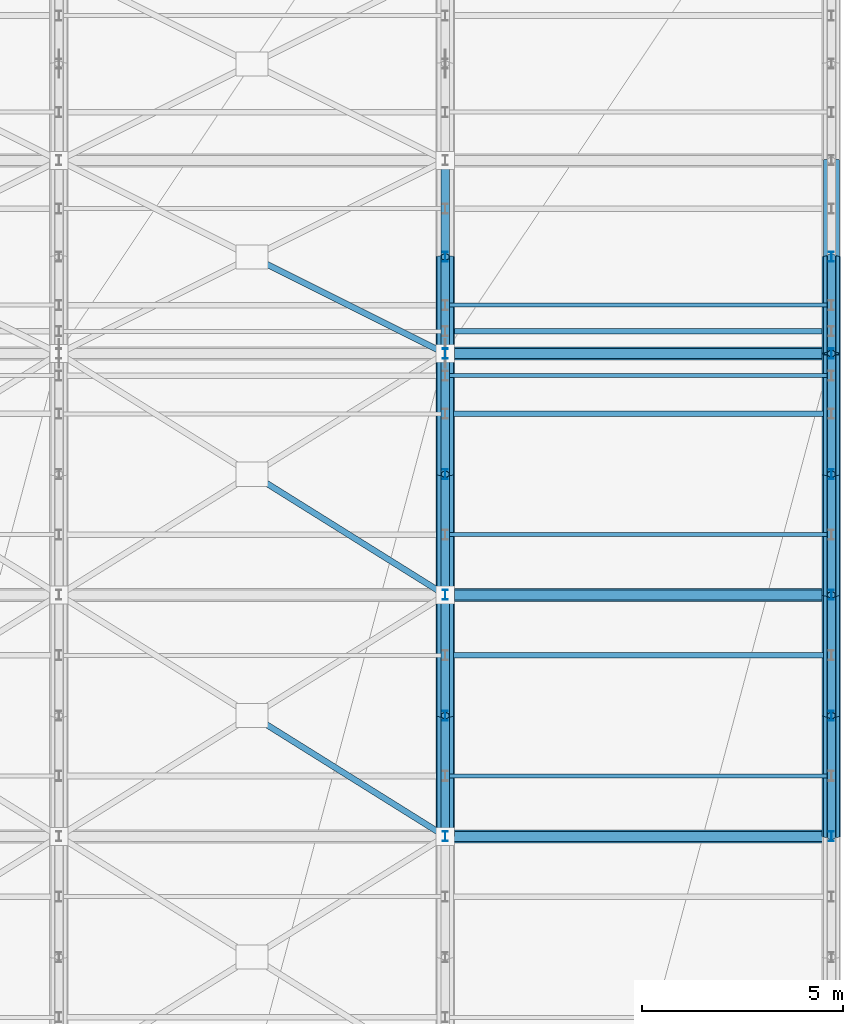
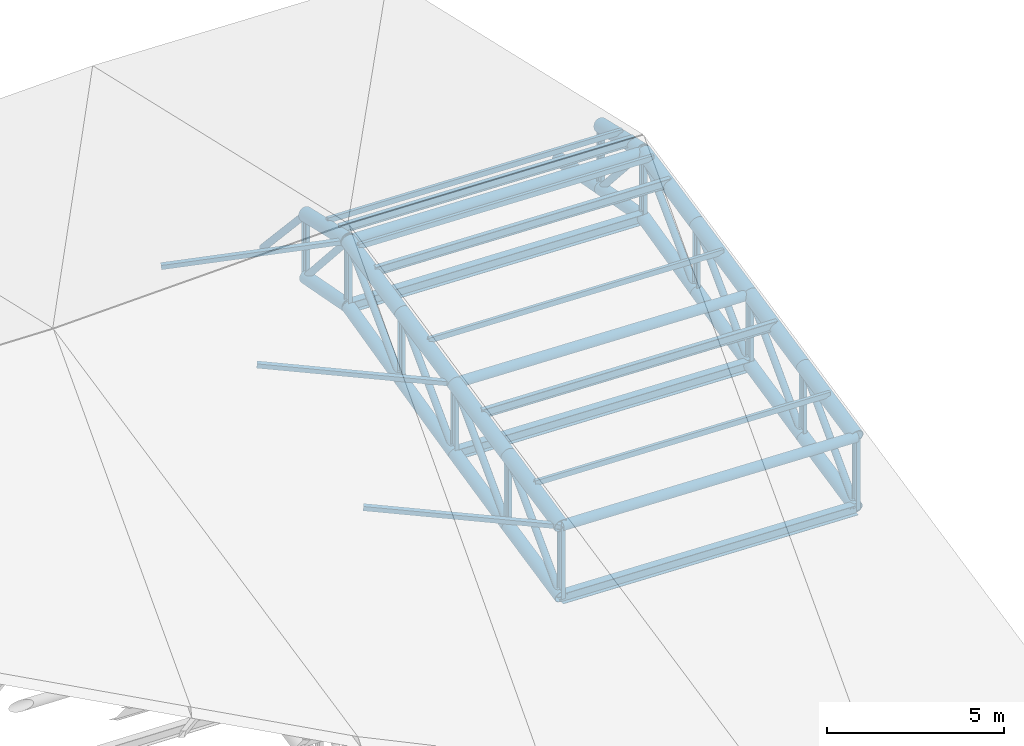
# One storey, part 48 of 109: 39 members, 21 beams.
"""IFC4 building model written with IfcOpenShell, lengths in metres."""

from ifc_helpers import new_model, si_unit, direction, frame, origin, origin_2d, place, context, subcontext, project, spatial, hollow_rectangle, hollow_circle, i_section, extrude, material, material_profile, profile_set, type_object, element, save


model = new_model("IFC4")

# Units and contexts
model_context = context("Model", 3, precision=1e-05, world=origin(), true_north=direction((0.0, 1.0)))
body_context = subcontext(model_context, "Body", "Model", "MODEL_VIEW")
ifc_project = project(units=[si_unit("LENGTHUNIT", "METRE"), si_unit("AREAUNIT", "SQUARE_METRE"), si_unit("VOLUMEUNIT", "CUBIC_METRE"), si_unit("PLANEANGLEUNIT", "RADIAN"), si_unit("MASSUNIT", "GRAM", prefix="KILO")], contexts=[model_context])

# Site, building, storey
site_placement = place(None, origin())
site = spatial("IfcSite", under=ifc_project, at=site_placement, CompositionType="ELEMENT")
building_placement = place(site_placement, origin())
building = spatial("IfcBuilding", under=site, at=building_placement, Name="Suirenkawa Promenade Aquatics Centre", CompositionType="ELEMENT")
storey_placement = place(building_placement, frame((0.0, 0.0, 22.800048828125)))
storey = spatial("IfcBuildingStorey", under=building, at=storey_placement, Name="ROOF", CompositionType="ELEMENT", Elevation=22.800048828125)

# Beams
ifc_material = material(Name="Steel IS 2062 E350 (Grade 350)", Category="steel")
ifc_material_profile_1 = material_profile(ifc_material, hollow_circle(Radius=0.202880859375, WallThickness=0.01806640625, at=origin_2d()), Name="CHS 406x18", Category="steel")
ifc_profile_set_1 = profile_set([ifc_material_profile_1], Name="Steel IS 2062 E350 (Grade 350)")
beam_type_1 = type_object("IfcBeamType", Name="BT-BC-CHS406", PredefinedType="BEAM", material=ifc_profile_set_1)
beam_1_placement = place(storey_placement, frame((184.800048828125, 74.39990234375, -6.16015625), z_axis=(0.0, 0.978259092623, 0.207386469424), x_axis=(-1.0, 0.0, 0.0)))
element("IfcBeam", 1, at=beam_1_placement, inside=storey, type_object=beam_type_1, Name="ROOF TRUSS V2 bottom chord BC-01 BM-2520", PredefinedType="BEAM", context=body_context, shape_type="SweptSolid", body=[
    extrude(hollow_circle(Radius=0.202880859375, WallThickness=0.01806640625, at=origin_2d()), origin(), (0.0, 0.0, 1.0), 3.066650390625),
])
beam_2_placement = place(storey_placement, frame((184.800048828125, 77.39990234375, -5.524169921875), z_axis=(0.0, 0.976147791937, 0.217107089466), x_axis=(-1.0, 0.0, 0.0)))
element("IfcBeam", 2, at=beam_2_placement, inside=storey, type_object=beam_type_1, Name="ROOF TRUSS V2 bottom chord BC-01 BM-2522", PredefinedType="BEAM", context=body_context, shape_type="SweptSolid", body=[
    extrude(hollow_circle(Radius=0.202880859375, WallThickness=0.01806640625, at=origin_2d()), origin(), (0.0, 0.0, 1.0), 3.0732421875),
])
beam_3_placement = place(storey_placement, frame((184.800048828125, 80.39990234375, -4.85693359375), z_axis=(0.0, 0.97398484084, 0.226613172197), x_axis=(-1.0, 0.0, 0.0)))
element("IfcBeam", 3, at=beam_3_placement, inside=storey, type_object=beam_type_1, Name="ROOF TRUSS V2 bottom chord BC-01 BM-2524", PredefinedType="BEAM", context=body_context, shape_type="SweptSolid", body=[
    extrude(hollow_circle(Radius=0.202880859375, WallThickness=0.01806640625, at=origin_2d()), origin(), (0.0, 0.0, 1.0), 3.080078125),
])
beam_4_placement = place(storey_placement, frame((184.800048828125, 83.39990234375, -4.158935546875), z_axis=(0.0, 0.972029299784, 0.234859618413), x_axis=(-1.0, 0.0, 0.0)))
element("IfcBeam", 4, at=beam_4_placement, inside=storey, type_object=beam_type_1, Name="ROOF TRUSS V2 bottom chord BC-01 BM-2526", PredefinedType="BEAM", context=body_context, shape_type="SweptSolid", body=[
    extrude(hollow_circle(Radius=0.202880859375, WallThickness=0.01806640625, at=origin_2d()), origin(), (0.0, 0.0, 1.0), 3.08642578125),
])
beam_5_placement = place(storey_placement, frame((184.800048828125, 86.39990234375, -3.43408203125), z_axis=(0.0, 0.982275543956, -0.187442673224), x_axis=(-1.0, 0.0, 0.0)))
element("IfcBeam", 5, at=beam_5_placement, inside=storey, type_object=beam_type_1, Name="ROOF TRUSS V2 bottom chord BC-01 BM-2528", PredefinedType="BEAM", context=body_context, shape_type="SweptSolid", body=[
    extrude(hollow_circle(Radius=0.202880859375, WallThickness=0.01806640625, at=origin_2d()), origin(), (0.0, 0.0, 1.0), 2.443359375),
])
beam_6_placement = place(storey_placement, frame((194.39990234375, 74.39990234375, -6.4599609375), z_axis=(0.0, 0.978259092623, 0.207386469424), x_axis=(-1.0, 0.0, 0.0)))
element("IfcBeam", 6, at=beam_6_placement, inside=storey, type_object=beam_type_1, Name="ROOF TRUSS V2 bottom chord BC-01 BM-2556", PredefinedType="BEAM", context=body_context, shape_type="SweptSolid", body=[
    extrude(hollow_circle(Radius=0.202880859375, WallThickness=0.01806640625, at=origin_2d()), origin(), (0.0, 0.0, 1.0), 3.066650390625),
])
beam_7_placement = place(storey_placement, frame((194.39990234375, 77.39990234375, -5.823974609375), z_axis=(0.0, 0.976164624712, 0.217031392799), x_axis=(-1.0, 0.0, 0.0)))
element("IfcBeam", 7, at=beam_7_placement, inside=storey, type_object=beam_type_1, Name="ROOF TRUSS V2 bottom chord BC-01 BM-2558", PredefinedType="BEAM", context=body_context, shape_type="SweptSolid", body=[
    extrude(hollow_circle(Radius=0.202880859375, WallThickness=0.01806640625, at=origin_2d()), origin(), (0.0, 0.0, 1.0), 3.0732421875),
])
beam_8_placement = place(storey_placement, frame((194.39990234375, 80.39990234375, -5.156982421875), z_axis=(0.0, 0.97398484084, 0.226613172197), x_axis=(-1.0, 0.0, 0.0)))
element("IfcBeam", 8, at=beam_8_placement, inside=storey, type_object=beam_type_1, Name="ROOF TRUSS V2 bottom chord BC-01 BM-2560", PredefinedType="BEAM", context=body_context, shape_type="SweptSolid", body=[
    extrude(hollow_circle(Radius=0.202880859375, WallThickness=0.01806640625, at=origin_2d()), origin(), (0.0, 0.0, 1.0), 3.080078125),
])
beam_9_placement = place(storey_placement, frame((194.39990234375, 83.39990234375, -4.458984375), z_axis=(0.0, 0.972029299784, 0.234859618413), x_axis=(-1.0, 0.0, 0.0)))
element("IfcBeam", 9, at=beam_9_placement, inside=storey, type_object=beam_type_1, Name="ROOF TRUSS V2 bottom chord BC-01 BM-2562", PredefinedType="BEAM", context=body_context, shape_type="SweptSolid", body=[
    extrude(hollow_circle(Radius=0.202880859375, WallThickness=0.01806640625, at=origin_2d()), origin(), (0.0, 0.0, 1.0), 3.08642578125),
])
beam_10_placement = place(storey_placement, frame((194.39990234375, 86.39990234375, -3.734130859375), z_axis=(0.0, 0.982275543956, -0.187442673224), x_axis=(-1.0, 0.0, 0.0)))
element("IfcBeam", 10, at=beam_10_placement, inside=storey, type_object=beam_type_1, Name="ROOF TRUSS V2 bottom chord BC-01 BM-2564", PredefinedType="BEAM", context=body_context, shape_type="SweptSolid", body=[
    extrude(hollow_circle(Radius=0.202880859375, WallThickness=0.01806640625, at=origin_2d()), origin(), (0.0, 0.0, 1.0), 2.443359375),
])
beam_11_placement = place(storey_placement, frame((194.39990234375, 88.800048828125, -4.192138671875), z_axis=(0.0, 0.983252807132, -0.182246858046), x_axis=(-1.0, 0.0, 0.0)))
element("IfcBeam", 11, at=beam_11_placement, inside=storey, type_object=beam_type_1, Name="ROOF TRUSS V2 bottom chord BC-01 BM-2566", PredefinedType="BEAM", context=body_context, shape_type="SweptSolid", body=[
    extrude(hollow_circle(Radius=0.202880859375, WallThickness=0.01806640625, at=origin_2d()), origin(), (0.0, 0.0, 1.0), 2.440673828125),
])
ifc_material_profile_2 = material_profile(ifc_material, hollow_circle(Radius=0.22900390625, WallThickness=0.02001953125, at=origin_2d()), Name="CHS 458x20", Category="steel")
ifc_profile_set_2 = profile_set([ifc_material_profile_2], Name="Steel IS 2062 E350 (Grade 350)")
beam_type_2 = type_object("IfcBeamType", Name="BT-TC-CHS458", PredefinedType="BEAM", material=ifc_profile_set_2)
for number, where, z_axis, x_axis, name in (
    (12, (184.800048828125, 74.39990234375, -3.713134765625), (0.0, 0.978452518953, 0.206471954886), (-1.0, 0.0, 0.0), "ROOF TRUSS V2 top chord TC-01 BM-2519"),
    (13, (184.800048828125, 77.39990234375, -3.080078125), (0.0, 0.978452518953, 0.206471954886), (-1.0, 0.0, 0.0), "ROOF TRUSS V2 top chord TC-01 BM-2521"),
    (14, (184.800048828125, 80.39990234375, -2.447021484375), (0.0, 0.978388130003, 0.206776853322), (-1.0, 0.0, 0.0), "ROOF TRUSS V2 top chord TC-01 BM-2523"),
    (15, (184.800048828125, 83.39990234375, -1.81298828125), (0.0, 0.978452518953, 0.206471954886), (-1.0, 0.0, 0.0), "ROOF TRUSS V2 top chord TC-01 BM-2525"),
):
    element("IfcBeam", number, at=place(storey_placement, frame(where, z_axis=z_axis, x_axis=x_axis)), inside=storey, type_object=beam_type_2, Name=name, PredefinedType="BEAM", context=body_context, shape_type="SweptSolid", body=[
        extrude(hollow_circle(Radius=0.22900390625, WallThickness=0.02001953125, at=origin_2d()), origin(), (0.0, 0.0, 1.0), 3.066162109375),
    ])
beam_12_placement = place(storey_placement, frame((184.800048828125, 86.39990234375, -1.179931640625), z_axis=(0.0, 0.97473096927, -0.223382043919), x_axis=(-1.0, 0.0, 0.0)))
element("IfcBeam", 16, at=beam_12_placement, inside=storey, type_object=beam_type_2, Name="ROOF TRUSS V2 top chord TC-01 BM-2527", PredefinedType="BEAM", context=body_context, shape_type="SweptSolid", body=[
    extrude(hollow_circle(Radius=0.22900390625, WallThickness=0.02001953125, at=origin_2d()), origin(), (0.0, 0.0, 1.0), 2.46240234375),
])
beam_13_placement = place(storey_placement, frame((194.39990234375, 74.39990234375, -4.012939453125), z_axis=(0.0, 0.978468602667, 0.206395720875), x_axis=(-1.0, 0.0, 0.0)))
element("IfcBeam", 17, at=beam_13_placement, inside=storey, type_object=beam_type_2, Name="ROOF TRUSS V2 top chord TC-01 BM-2555", PredefinedType="BEAM", context=body_context, shape_type="SweptSolid", body=[
    extrude(hollow_circle(Radius=0.22900390625, WallThickness=0.02001953125, at=origin_2d()), origin(), (0.0, 0.0, 1.0), 3.06591796875),
])
for number, where, z_axis, x_axis, name in (
    (18, (194.39990234375, 77.39990234375, -3.380126953125), (0.0, 0.978452518953, 0.206471954886), (-1.0, 0.0, 0.0), "ROOF TRUSS V2 top chord TC-01 BM-2557"),
    (19, (194.39990234375, 80.39990234375, -2.7470703125), (0.0, 0.978388130003, 0.206776853322), (-1.0, 0.0, 0.0), "ROOF TRUSS V2 top chord TC-01 BM-2559"),
    (20, (194.39990234375, 83.39990234375, -2.113037109375), (0.0, 0.978452518953, 0.206471954886), (-1.0, 0.0, 0.0), "ROOF TRUSS V2 top chord TC-01 BM-2561"),
):
    element("IfcBeam", number, at=place(storey_placement, frame(where, z_axis=z_axis, x_axis=x_axis)), inside=storey, type_object=beam_type_2, Name=name, PredefinedType="BEAM", context=body_context, shape_type="SweptSolid", body=[
        extrude(hollow_circle(Radius=0.22900390625, WallThickness=0.02001953125, at=origin_2d()), origin(), (0.0, 0.0, 1.0), 3.066162109375),
    ])
beam_14_placement = place(storey_placement, frame((194.39990234375, 86.39990234375, -1.47998046875), z_axis=(0.0, 0.97473096927, -0.223382043919), x_axis=(-1.0, 0.0, 0.0)))
element("IfcBeam", 21, at=beam_14_placement, inside=storey, type_object=beam_type_2, Name="ROOF TRUSS V2 top chord TC-01 BM-2563", PredefinedType="BEAM", context=body_context, shape_type="SweptSolid", body=[
    extrude(hollow_circle(Radius=0.22900390625, WallThickness=0.02001953125, at=origin_2d()), origin(), (0.0, 0.0, 1.0), 2.46240234375),
])

# Members
ifc_material_profile_3 = material_profile(ifc_material, hollow_rectangle(XDim=0.14990234375, YDim=0.14990234375, WallThickness=0.008056640625, at=origin_2d()), Name="SHS 150x150x8", Category="steel")
ifc_profile_set_3 = profile_set([ifc_material_profile_3], Name="Steel IS 2062 E350 (Grade 350)")
member_type_1 = type_object("IfcMemberType", Name="MT-BRACE-SHS150", PredefinedType="BRACE", material=ifc_profile_set_3)
for number, where, z_axis, x_axis, name in (
    (22, (184.800048828125, 74.39990234375, -3.713134765625), (-0.844604024784, 0.527888418671, 0.08931886), (-0.530006811934, -0.847993383998, 0.0), "ROOF TRUSS V2 split plan brace A BF-02 MB-1265"),
    (23, (184.800048828125, 80.39990234375, -2.447021484375), (-0.844590851827, 0.527880185403, 0.089491915106), (-0.530006811934, -0.847993383998, 0.0), "ROOF TRUSS V2 split plan brace A BF-02 MB-1268"),
):
    element("IfcMember", number, at=place(storey_placement, frame(where, z_axis=z_axis, x_axis=x_axis)), inside=storey, type_object=member_type_1, Name=name, PredefinedType="BRACE", context=body_context, shape_type="SweptSolid", body=[
        extrude(hollow_rectangle(XDim=0.14990234375, YDim=0.14990234375, WallThickness=0.008056640625, at=origin_2d()), origin(), (0.0, 0.0, 1.0), 5.597900390625),
    ])
member_1_placement = place(storey_placement, frame((184.800048828125, 86.39990234375, -1.179931640625), z_axis=(-0.88747950639, 0.443648043005, -0.124725858085), x_axis=(-0.447139648397, -0.894464160731, 0.0)))
element("IfcMember", 24, at=member_1_placement, inside=storey, type_object=member_type_1, Name="ROOF TRUSS V2 split plan brace A BF-02 MB-1271", PredefinedType="BRACE", context=body_context, shape_type="SweptSolid", body=[
    extrude(hollow_rectangle(XDim=0.14990234375, YDim=0.14990234375, WallThickness=0.008056640625, at=origin_2d()), origin(), (0.0, 0.0, 1.0), 5.32421875),
])
ifc_material_profile_4 = material_profile(ifc_material, hollow_circle(Radius=0.162109375, WallThickness=0.013916015625, at=origin_2d()), Name="CHS 324x14", Category="steel")
ifc_profile_set_4 = profile_set([ifc_material_profile_4], Name="Steel IS 2062 E350 (Grade 350)")
member_type_2 = type_object("IfcMemberType", Name="MT-CHORD-CHS324", PredefinedType="CHORD", material=ifc_profile_set_4)
for number, where, z_axis, x_axis, name in (
    (25, (184.800048828125, 74.39990234375, -3.713134765625), (0.999512695873, 0.0, -0.03121491291), (0.0, 1.0, 0.0), "ROOF TRUSS V2 tie chord CH-01 MB-1200"),
    (26, (184.800048828125, 80.39990234375, -2.447021484375), (0.999511902476, 0.0, -0.031240307422), (0.0, 1.0, 0.0), "ROOF TRUSS V2 tie chord CH-01 MB-1208"),
    (27, (184.800048828125, 86.39990234375, -1.179931640625), (0.999511902476, 0.0, -0.031240307422), (0.0, 1.0, 0.0), "ROOF TRUSS V2 tie chord CH-01 MB-1216"),
):
    element("IfcMember", number, at=place(storey_placement, frame(where, z_axis=z_axis, x_axis=x_axis)), inside=storey, type_object=member_type_2, Name=name, PredefinedType="CHORD", context=body_context, shape_type="SweptSolid", body=[
        extrude(hollow_circle(Radius=0.162109375, WallThickness=0.013916015625, at=origin_2d()), origin(), (0.0, 0.0, 1.0), 9.6044921875),
    ])
ifc_material_profile_5 = material_profile(ifc_material, i_section(OverallWidth=0.25, OverallDepth=0.35009765625, WebThickness=0.010009765625, FlangeThickness=0.011962890625, at=origin_2d()), Name="ISHB 350", Category="steel")
ifc_profile_set_5 = profile_set([ifc_material_profile_5], Name="Steel IS 2062 E350 (Grade 350)")
member_type_3 = type_object("IfcMemberType", Name="MT-CHORD-ISHB350", PredefinedType="CHORD", material=ifc_profile_set_5)
for number, where, z_axis, x_axis, name in (
    (28, (184.800048828125, 74.39990234375, -6.16015625), (0.999512695873, 0.0, -0.03121491291), (0.0, 1.0, 0.0), "ROOF TRUSS V2 bottom tie CH-04 MB-1201"),
    (29, (184.800048828125, 80.39990234375, -4.85693359375), (0.999511902476, 0.0, -0.031240307422), (0.0, 1.0, 0.0), "ROOF TRUSS V2 bottom tie CH-04 MB-1209"),
    (30, (184.800048828125, 86.39990234375, -3.43408203125), (0.999511902476, 0.0, -0.031240307422), (0.0, 1.0, 0.0), "ROOF TRUSS V2 bottom tie CH-04 MB-1217"),
):
    element("IfcMember", number, at=place(storey_placement, frame(where, z_axis=z_axis, x_axis=x_axis)), inside=storey, type_object=member_type_3, Name=name, PredefinedType="CHORD", context=body_context, shape_type="SweptSolid", body=[
        extrude(i_section(OverallWidth=0.25, OverallDepth=0.35009765625, WebThickness=0.010009765625, FlangeThickness=0.011962890625, at=origin_2d()), origin(), (0.0, 0.0, 1.0), 9.6044921875),
    ])
ifc_material_profile_6 = material_profile(ifc_material, i_section(OverallWidth=0.139892578125, OverallDepth=0.300048828125, WebThickness=0.008056640625, FlangeThickness=0.012939453125, at=origin_2d()), Name="ISMB 300", Category="steel")
ifc_profile_set_6 = profile_set([ifc_material_profile_6], Name="Steel IS 2062 E350 (Grade 350)")
member_type_4 = type_object("IfcMemberType", Name="MT-PURLIN-ISMB300", PredefinedType="PURLIN", material=ifc_profile_set_6)
for number, where, z_axis, x_axis, name in (
    (31, (184.800048828125, 78.89990234375, -2.5771484375), (0.999512695873, 0.0, -0.03121491291), (0.0, 1.0, 0.0), "ROOF TRUSS Roof purlin PU-05 MB-2581"),
    (32, (184.800048828125, 84.89990234375, -1.31005859375), (0.999511902476, 0.0, -0.031240307422), (0.0, 1.0, 0.0), "ROOF TRUSS Roof purlin PU-05 MB-2585"),
    (33, (184.800048828125, 86.949951171875, -1.1220703125), (0.999511902476, 0.0, -0.031240307422), (0.0, 1.0, 0.0), "ROOF TRUSS Roof purlin PU-05 MB-2589"),
):
    element("IfcMember", number, at=place(storey_placement, frame(where, z_axis=z_axis, x_axis=x_axis)), inside=storey, type_object=member_type_4, Name=name, PredefinedType="PURLIN", context=body_context, shape_type="SweptSolid", body=[
        extrude(i_section(OverallWidth=0.139892578125, OverallDepth=0.300048828125, WebThickness=0.008056640625, FlangeThickness=0.012939453125, at=origin_2d()), origin(), (0.0, 0.0, 1.0), 9.6044921875),
    ])
ifc_material_profile_7 = material_profile(ifc_material, hollow_rectangle(XDim=0.10009765625, YDim=0.179931640625, WallThickness=0.008056640625, at=origin_2d()), Name="RHS 180x100x8", Category="steel")
ifc_profile_set_7 = profile_set([ifc_material_profile_7], Name="Steel IS 2062 E350 (Grade 350)")
member_type_5 = type_object("IfcMemberType", Name="MT-PURLIN-RHS180", PredefinedType="PURLIN", material=ifc_profile_set_7)
for number, where, z_axis, x_axis, name in (
    (34, (184.800048828125, 75.89990234375, -3.14599609375), (0.999511902476, 0.0, -0.031240307422), (0.0, 1.0, 0.0), "ROOF TRUSS Roof purlin PU-01 MB-2579"),
    (35, (184.800048828125, 81.89990234375, -1.879150390625), (0.999512695873, 0.0, -0.03121491291), (0.0, 1.0, 0.0), "ROOF TRUSS Roof purlin PU-01 MB-2583"),
    (36, (184.800048828125, 85.85009765625, -1.045166015625), (0.999509518422, 0.0, -0.031316490595), (0.0, 1.0, 0.0), "ROOF TRUSS Roof purlin PU-01 MB-2587"),
    (37, (184.800048828125, 87.60009765625, -1.2060546875), (0.999511902476, 0.0, -0.031240307422), (0.0, 1.0, 0.0), "ROOF TRUSS Roof purlin PU-01 MB-2591"),
):
    element("IfcMember", number, at=place(storey_placement, frame(where, z_axis=z_axis, x_axis=x_axis)), inside=storey, type_object=member_type_5, Name=name, PredefinedType="PURLIN", context=body_context, shape_type="SweptSolid", body=[
        extrude(hollow_rectangle(XDim=0.10009765625, YDim=0.179931640625, WallThickness=0.008056640625, at=origin_2d()), origin(), (0.0, 0.0, 1.0), 9.6044921875),
    ])
ifc_material_profile_8 = material_profile(ifc_material, i_section(OverallWidth=0.125, OverallDepth=0.25, WebThickness=0.007080078125, FlangeThickness=0.012939453125, at=origin_2d()), Name="ISMB 250", Category="steel")
ifc_profile_set_8 = profile_set([ifc_material_profile_8], Name="Steel IS 2062 E350 (Grade 350)")
member_type_6 = type_object("IfcMemberType", Name="MT-WEB-CHS168", PredefinedType="BRACE", material=ifc_profile_set_8)
member_2_placement = place(storey_placement, frame((184.800048828125, 74.39990234375, -6.16015625), z_axis=(0.0, 0.0, 1.0), x_axis=(1.0, 0.0, 0.0)))
element("IfcMember", 38, at=member_2_placement, inside=storey, type_object=member_type_6, Name="ROOF TRUSS V2 web post TD-03 MB-1101", PredefinedType="BRACE", context=body_context, shape_type="SweptSolid", body=[
    extrude(i_section(OverallWidth=0.125, OverallDepth=0.25, WebThickness=0.007080078125, FlangeThickness=0.012939453125, at=origin_2d()), origin(), (0.0, 0.0, 1.0), 2.447021484375),
])
member_3_placement = place(storey_placement, frame((184.800048828125, 77.39990234375, -5.524169921875), z_axis=(0.0, 0.0, 1.0), x_axis=(1.0, 0.0, 0.0)))
element("IfcMember", 39, at=member_3_placement, inside=storey, type_object=member_type_6, Name="ROOF TRUSS V2 web post TD-03 MB-1102", PredefinedType="BRACE", context=body_context, shape_type="SweptSolid", body=[
    extrude(i_section(OverallWidth=0.125, OverallDepth=0.25, WebThickness=0.007080078125, FlangeThickness=0.012939453125, at=origin_2d()), origin(), (0.0, 0.0, 1.0), 2.444091796875),
])
member_4_placement = place(storey_placement, frame((184.800048828125, 80.39990234375, -4.85693359375), z_axis=(0.0, 0.0, 1.0), x_axis=(1.0, 0.0, 0.0)))
element("IfcMember", 40, at=member_4_placement, inside=storey, type_object=member_type_6, Name="ROOF TRUSS V2 web post TD-03 MB-1103", PredefinedType="BRACE", context=body_context, shape_type="SweptSolid", body=[
    extrude(i_section(OverallWidth=0.125, OverallDepth=0.25, WebThickness=0.007080078125, FlangeThickness=0.012939453125, at=origin_2d()), origin(), (0.0, 0.0, 1.0), 2.409912109375),
])
member_5_placement = place(storey_placement, frame((184.800048828125, 83.39990234375, -4.158935546875), z_axis=(0.0, 0.0, 1.0), x_axis=(1.0, 0.0, 0.0)))
element("IfcMember", 41, at=member_5_placement, inside=storey, type_object=member_type_6, Name="ROOF TRUSS V2 web post TD-03 MB-1104", PredefinedType="BRACE", context=body_context, shape_type="SweptSolid", body=[
    extrude(i_section(OverallWidth=0.125, OverallDepth=0.25, WebThickness=0.007080078125, FlangeThickness=0.012939453125, at=origin_2d()), origin(), (0.0, 0.0, 1.0), 2.345947265625),
])
member_6_placement = place(storey_placement, frame((184.800048828125, 86.39990234375, -3.43408203125), z_axis=(0.0, 0.0, 1.0), x_axis=(1.0, 0.0, 0.0)))
element("IfcMember", 42, at=member_6_placement, inside=storey, type_object=member_type_6, Name="ROOF TRUSS V2 web post TD-03 MB-1105", PredefinedType="BRACE", context=body_context, shape_type="SweptSolid", body=[
    extrude(i_section(OverallWidth=0.125, OverallDepth=0.25, WebThickness=0.007080078125, FlangeThickness=0.012939453125, at=origin_2d()), origin(), (0.0, 0.0, 1.0), 2.254150390625),
])
member_7_placement = place(storey_placement, frame((184.800048828125, 88.800048828125, -3.89208984375), z_axis=(0.0, 0.0, 1.0), x_axis=(1.0, 0.0, 0.0)))
element("IfcMember", 43, at=member_7_placement, inside=storey, type_object=member_type_6, Name="ROOF TRUSS V2 web post TD-03 MB-1106", PredefinedType="BRACE", context=body_context, shape_type="SweptSolid", body=[
    extrude(i_section(OverallWidth=0.125, OverallDepth=0.25, WebThickness=0.007080078125, FlangeThickness=0.012939453125, at=origin_2d()), origin(), (0.0, 0.0, 1.0), 2.162109375),
])
member_8_placement = place(storey_placement, frame((194.39990234375, 74.39990234375, -6.4599609375), z_axis=(0.0, 0.0, 1.0), x_axis=(1.0, 0.0, 0.0)))
element("IfcMember", 44, at=member_8_placement, inside=storey, type_object=member_type_6, Name="ROOF TRUSS V2 web post TD-03 MB-1136", PredefinedType="BRACE", context=body_context, shape_type="SweptSolid", body=[
    extrude(i_section(OverallWidth=0.125, OverallDepth=0.25, WebThickness=0.007080078125, FlangeThickness=0.012939453125, at=origin_2d()), origin(), (0.0, 0.0, 1.0), 2.447021484375),
])
member_9_placement = place(storey_placement, frame((194.39990234375, 77.39990234375, -5.823974609375), z_axis=(0.0, 0.0, 1.0), x_axis=(1.0, 0.0, 0.0)))
element("IfcMember", 45, at=member_9_placement, inside=storey, type_object=member_type_6, Name="ROOF TRUSS V2 web post TD-03 MB-1137", PredefinedType="BRACE", context=body_context, shape_type="SweptSolid", body=[
    extrude(i_section(OverallWidth=0.125, OverallDepth=0.25, WebThickness=0.007080078125, FlangeThickness=0.012939453125, at=origin_2d()), origin(), (0.0, 0.0, 1.0), 2.44384765625),
])
member_10_placement = place(storey_placement, frame((194.39990234375, 80.39990234375, -5.156982421875), z_axis=(0.0, 0.0, 1.0), x_axis=(1.0, 0.0, 0.0)))
element("IfcMember", 46, at=member_10_placement, inside=storey, type_object=member_type_6, Name="ROOF TRUSS V2 web post TD-03 MB-1138", PredefinedType="BRACE", context=body_context, shape_type="SweptSolid", body=[
    extrude(i_section(OverallWidth=0.125, OverallDepth=0.25, WebThickness=0.007080078125, FlangeThickness=0.012939453125, at=origin_2d()), origin(), (0.0, 0.0, 1.0), 2.409912109375),
])
member_11_placement = place(storey_placement, frame((194.39990234375, 83.39990234375, -4.458984375), z_axis=(0.0, 0.0, 1.0), x_axis=(1.0, 0.0, 0.0)))
element("IfcMember", 47, at=member_11_placement, inside=storey, type_object=member_type_6, Name="ROOF TRUSS V2 web post TD-03 MB-1139", PredefinedType="BRACE", context=body_context, shape_type="SweptSolid", body=[
    extrude(i_section(OverallWidth=0.125, OverallDepth=0.25, WebThickness=0.007080078125, FlangeThickness=0.012939453125, at=origin_2d()), origin(), (0.0, 0.0, 1.0), 2.345947265625),
])
member_12_placement = place(storey_placement, frame((194.39990234375, 86.39990234375, -3.734130859375), z_axis=(0.0, 0.0, 1.0), x_axis=(1.0, 0.0, 0.0)))
element("IfcMember", 48, at=member_12_placement, inside=storey, type_object=member_type_6, Name="ROOF TRUSS V2 web post TD-03 MB-1140", PredefinedType="BRACE", context=body_context, shape_type="SweptSolid", body=[
    extrude(i_section(OverallWidth=0.125, OverallDepth=0.25, WebThickness=0.007080078125, FlangeThickness=0.012939453125, at=origin_2d()), origin(), (0.0, 0.0, 1.0), 2.254150390625),
])
member_13_placement = place(storey_placement, frame((194.39990234375, 88.800048828125, -4.192138671875), z_axis=(0.0, 0.0, 1.0), x_axis=(1.0, 0.0, 0.0)))
element("IfcMember", 49, at=member_13_placement, inside=storey, type_object=member_type_6, Name="ROOF TRUSS V2 web post TD-03 MB-1141", PredefinedType="BRACE", context=body_context, shape_type="SweptSolid", body=[
    extrude(i_section(OverallWidth=0.125, OverallDepth=0.25, WebThickness=0.007080078125, FlangeThickness=0.012939453125, at=origin_2d()), origin(), (0.0, 0.0, 1.0), 2.162109375),
])
ifc_material_profile_9 = material_profile(ifc_material, hollow_circle(Radius=0.110107421875, WallThickness=0.010009765625, at=origin_2d()), Name="CHS 220x10", Category="steel")
ifc_profile_set_9 = profile_set([ifc_material_profile_9], Name="Steel IS 2062 E350 (Grade 350)")
member_type_7 = type_object("IfcMemberType", Name="MT-WEB-CHS220", PredefinedType="BRACE", material=ifc_profile_set_9)
member_14_placement = place(storey_placement, frame((184.800048828125, 74.39990234375, -6.16015625), z_axis=(0.0, 0.697733265093, 0.716357655632), x_axis=(-1.0, 0.0, 0.0)))
element("IfcMember", 50, at=member_14_placement, inside=storey, type_object=member_type_7, Name="ROOF TRUSS V2 web diagonal TD-01 MB-1084", PredefinedType="BRACE", context=body_context, shape_type="SweptSolid", body=[
    extrude(hollow_circle(Radius=0.110107421875, WallThickness=0.010009765625, at=origin_2d()), origin(), (0.0, 0.0, 1.0), 4.299560546875),
])
member_15_placement = place(storey_placement, frame((184.800048828125, 77.39990234375, -5.524169921875), z_axis=(0.0, 0.698073924339, 0.71602569518), x_axis=(-1.0, 0.0, 0.0)))
element("IfcMember", 51, at=member_15_placement, inside=storey, type_object=member_type_7, Name="ROOF TRUSS V2 web diagonal TD-01 MB-1085", PredefinedType="BRACE", context=body_context, shape_type="SweptSolid", body=[
    extrude(hollow_circle(Radius=0.110107421875, WallThickness=0.010009765625, at=origin_2d()), origin(), (0.0, 0.0, 1.0), 4.297607421875),
])
member_16_placement = place(storey_placement, frame((184.800048828125, 80.39990234375, -4.85693359375), z_axis=(0.0, 0.70194687816, 0.712229303133), x_axis=(-1.0, 0.0, 0.0)))
element("IfcMember", 52, at=member_16_placement, inside=storey, type_object=member_type_7, Name="ROOF TRUSS V2 web diagonal TD-01 MB-1086", PredefinedType="BRACE", context=body_context, shape_type="SweptSolid", body=[
    extrude(hollow_circle(Radius=0.110107421875, WallThickness=0.010009765625, at=origin_2d()), origin(), (0.0, 0.0, 1.0), 4.27392578125),
])
member_17_placement = place(storey_placement, frame((184.800048828125, 83.39990234375, -4.158935546875), z_axis=(0.0, 0.709585508659, 0.704619334038), x_axis=(-1.0, 0.0, 0.0)))
element("IfcMember", 53, at=member_17_placement, inside=storey, type_object=member_type_7, Name="ROOF TRUSS V2 web diagonal TD-01 MB-1087", PredefinedType="BRACE", context=body_context, shape_type="SweptSolid", body=[
    extrude(hollow_circle(Radius=0.110107421875, WallThickness=0.010009765625, at=origin_2d()), origin(), (0.0, 0.0, 1.0), 4.227783203125),
])
member_18_placement = place(storey_placement, frame((184.800048828125, 86.39990234375, -1.179931640625), z_axis=(0.0, 0.662717866638, -0.74886916697), x_axis=(-1.0, 0.0, 0.0)))
element("IfcMember", 54, at=member_18_placement, inside=storey, type_object=member_type_7, Name="ROOF TRUSS V2 web diagonal TD-01 MB-1088", PredefinedType="BRACE", context=body_context, shape_type="SweptSolid", body=[
    extrude(hollow_circle(Radius=0.110107421875, WallThickness=0.010009765625, at=origin_2d()), origin(), (0.0, 0.0, 1.0), 3.62158203125),
])
member_19_placement = place(storey_placement, frame((184.800048828125, 88.800048828125, -1.72998046875), z_axis=(0.0, 0.677255017179, -0.735748354878), x_axis=(-1.0, 0.0, 0.0)))
element("IfcMember", 55, at=member_19_placement, inside=storey, type_object=member_type_7, Name="ROOF TRUSS V2 web diagonal TD-01 MB-1089", PredefinedType="BRACE", context=body_context, shape_type="SweptSolid", body=[
    extrude(hollow_circle(Radius=0.110107421875, WallThickness=0.010009765625, at=origin_2d()), origin(), (0.0, 0.0, 1.0), 3.54345703125),
])
member_20_placement = place(storey_placement, frame((194.39990234375, 74.39990234375, -6.4599609375), z_axis=(0.0, 0.697761646691, 0.716330010824), x_axis=(-1.0, 0.0, 0.0)))
element("IfcMember", 56, at=member_20_placement, inside=storey, type_object=member_type_7, Name="ROOF TRUSS V2 web diagonal TD-01 MB-1119", PredefinedType="BRACE", context=body_context, shape_type="SweptSolid", body=[
    extrude(hollow_circle(Radius=0.110107421875, WallThickness=0.010009765625, at=origin_2d()), origin(), (0.0, 0.0, 1.0), 4.299560546875),
])
member_21_placement = place(storey_placement, frame((194.39990234375, 77.39990234375, -5.823974609375), z_axis=(0.0, 0.698102320492, 0.71599800986), x_axis=(-1.0, 0.0, 0.0)))
element("IfcMember", 57, at=member_21_placement, inside=storey, type_object=member_type_7, Name="ROOF TRUSS V2 web diagonal TD-01 MB-1120", PredefinedType="BRACE", context=body_context, shape_type="SweptSolid", body=[
    extrude(hollow_circle(Radius=0.110107421875, WallThickness=0.010009765625, at=origin_2d()), origin(), (0.0, 0.0, 1.0), 4.29736328125),
])
member_22_placement = place(storey_placement, frame((194.39990234375, 80.39990234375, -5.156982421875), z_axis=(0.0, 0.70194687816, 0.712229303133), x_axis=(-1.0, 0.0, 0.0)))
element("IfcMember", 58, at=member_22_placement, inside=storey, type_object=member_type_7, Name="ROOF TRUSS V2 web diagonal TD-01 MB-1121", PredefinedType="BRACE", context=body_context, shape_type="SweptSolid", body=[
    extrude(hollow_circle(Radius=0.110107421875, WallThickness=0.010009765625, at=origin_2d()), origin(), (0.0, 0.0, 1.0), 4.27392578125),
])
member_23_placement = place(storey_placement, frame((194.39990234375, 83.39990234375, -4.458984375), z_axis=(0.0, 0.709585508659, 0.704619334038), x_axis=(-1.0, 0.0, 0.0)))
element("IfcMember", 59, at=member_23_placement, inside=storey, type_object=member_type_7, Name="ROOF TRUSS V2 web diagonal TD-01 MB-1122", PredefinedType="BRACE", context=body_context, shape_type="SweptSolid", body=[
    extrude(hollow_circle(Radius=0.110107421875, WallThickness=0.010009765625, at=origin_2d()), origin(), (0.0, 0.0, 1.0), 4.227783203125),
])
member_24_placement = place(storey_placement, frame((194.39990234375, 86.39990234375, -1.47998046875), z_axis=(0.0, 0.662717866638, -0.74886916697), x_axis=(-1.0, 0.0, 0.0)))
element("IfcMember", 60, at=member_24_placement, inside=storey, type_object=member_type_7, Name="ROOF TRUSS V2 web diagonal TD-01 MB-1123", PredefinedType="BRACE", context=body_context, shape_type="SweptSolid", body=[
    extrude(hollow_circle(Radius=0.110107421875, WallThickness=0.010009765625, at=origin_2d()), origin(), (0.0, 0.0, 1.0), 3.62158203125),
])

save(model, "model.ifc")
